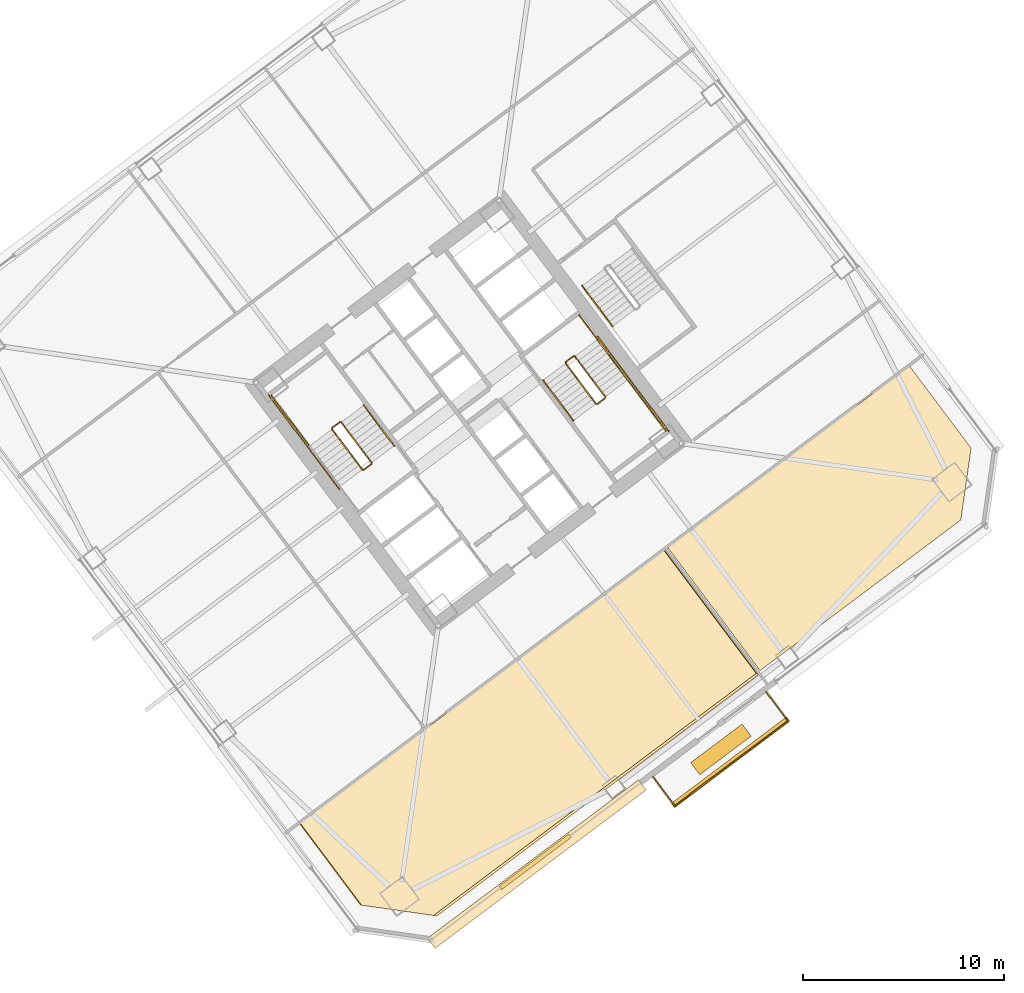
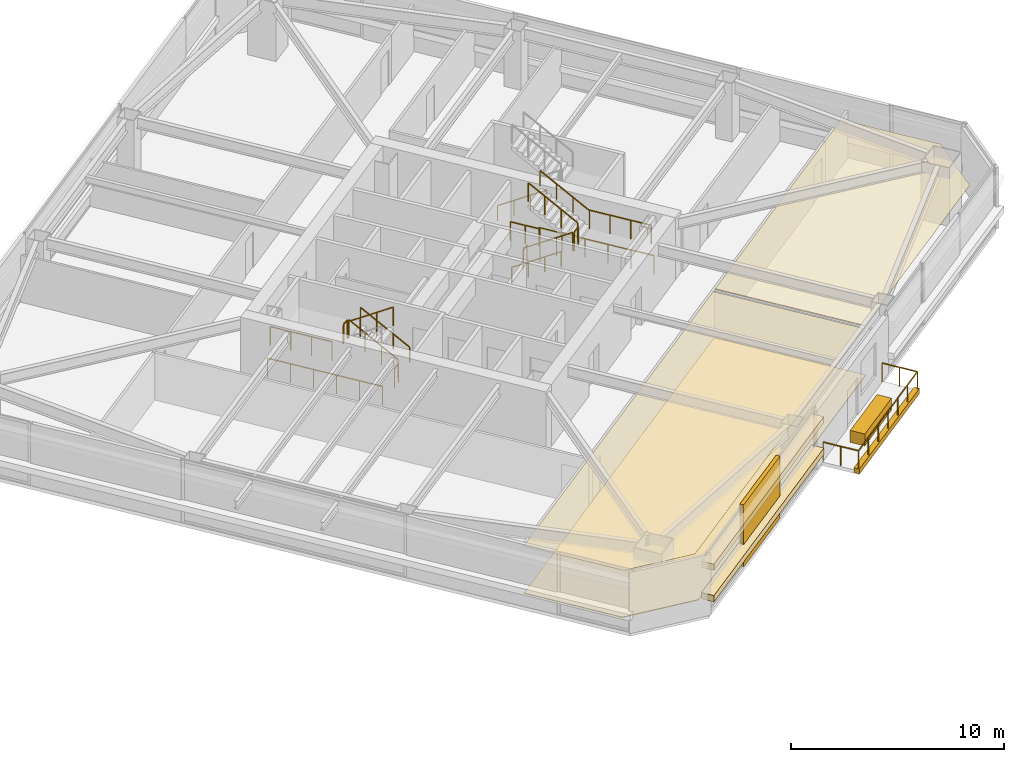
# One storey, part 44 of 47: 20 railings, 8 coverings.
"""IFC4 building model written with IfcOpenShell, lengths in metres."""

import ifcopenshell
import ifcopenshell.guid

model = None  # the IFC model being written
_history = None  # IfcOwnerHistory: only IFC2X3 demands one
_inside = {}  # id of a spatial element -> (the spatial element, [elements in it])
_under = {}  # id of a project, library or spatial element -> (it, [spatial elements below it])
_declared = {}  # id of a project -> (the project, [libraries it declares])
_typed = {}  # id of a type object -> (the type object, [elements of that type])
_made_of = {}  # id of a material, layer set ... -> (it, [elements and type objects made of it])


def new_model(schema):
    """Start an empty IFC model of exactly this schema.

    Asked for "IFC4X3", IfcOpenShell would pick the latest addendum, in which some entities
    have other attributes; the version numbers below select the first issue.
    IFC2X3 requires an IfcOwnerHistory on every rooted entity: one is made here for all.
    """
    global model, _history
    if schema == "IFC4X3":
        model = ifcopenshell.file(schema_version=(4, 3, 0, 0))
    else:
        model = ifcopenshell.file(schema=schema)
    _inside.clear()
    _under.clear()
    _declared.clear()
    _typed.clear()
    _made_of.clear()
    _history = None
    if model.schema == "IFC2X3":
        org = make("IfcOrganization", Name="unknown")
        user = make(
            "IfcPersonAndOrganization",
            ThePerson=make("IfcPerson", FamilyName="unknown"),
            TheOrganization=org,
        )
        app = make(
            "IfcApplication",
            ApplicationDeveloper=org,
            Version="unknown",
            ApplicationFullName="unknown",
            ApplicationIdentifier="unknown",
        )
        _history = make(
            "IfcOwnerHistory",
            OwningUser=user,
            OwningApplication=app,
            ChangeAction="ADDED",
            CreationDate=0,
        )
    return model


def make(cls, **values):
    """One entity of the class cls with the attributes given. An attribute that is None is left unset."""
    return model.create_entity(
        cls, **{name: value for name, value in values.items() if value is not None}
    )


def rooted(cls, **values):
    """An entity with a GlobalId (a new one), such as an element, a storey or a relation."""
    return make(cls, GlobalId=ifcopenshell.guid.new(), OwnerHistory=_history, **values)


def si_unit(unit_type, name, prefix=None):
    """IfcSIUnit, for example si_unit("LENGTHUNIT", "METRE", prefix="MILLI")."""
    return make("IfcSIUnit", UnitType=unit_type, Prefix=prefix, Name=name)


def assignment(units):
    """IfcUnitAssignment: the units of a project."""
    return None if units is None else make("IfcUnitAssignment", Units=units)


def point(xyz):
    """IfcCartesianPoint."""
    return None if xyz is None else make("IfcCartesianPoint", Coordinates=xyz)


def direction(xyz):
    """IfcDirection."""
    return None if xyz is None else make("IfcDirection", DirectionRatios=xyz)


def frame(location, z_axis=None, x_axis=None):
    """IfcAxis2Placement3D, a coordinate frame: its origin and axes. An axis left out is left unset."""
    return make(
        "IfcAxis2Placement3D",
        Location=point(location),
        Axis=direction(z_axis),
        RefDirection=direction(x_axis),
    )


def frame_2d(location, x_axis=None):
    """IfcAxis2Placement2D, a coordinate frame in the plane: its origin and x axis."""
    return make(
        "IfcAxis2Placement2D", Location=point(location), RefDirection=direction(x_axis)
    )


def origin():
    """The frame at (0, 0, 0) with its axes left unset."""
    return frame((0.0, 0.0, 0.0))


def origin_2d():
    """The frame at (0, 0) in the plane with its x axis left unset."""
    return frame_2d((0.0, 0.0))


def place(relative_to, where):
    """IfcLocalPlacement: puts the frame where relative to a parent placement (None: the world)."""
    return make(
        "IfcLocalPlacement", PlacementRelTo=relative_to, RelativePlacement=where
    )


def context(
    kind, dimensions, precision=None, world=None, true_north=None, identifier=None
):
    """IfcGeometricRepresentationContext, for example the 3D "Model" context."""
    return make(
        "IfcGeometricRepresentationContext",
        ContextIdentifier=identifier,
        ContextType=kind,
        CoordinateSpaceDimension=dimensions,
        Precision=precision,
        WorldCoordinateSystem=world,
        TrueNorth=true_north,
    )


def subcontext(parent, identifier, kind, view, scale=None):
    """IfcGeometricRepresentationSubContext, for example "Body" below "Model"."""
    return make(
        "IfcGeometricRepresentationSubContext",
        ContextIdentifier=identifier,
        ContextType=kind,
        ParentContext=parent,
        TargetScale=scale,
        TargetView=view,
    )


def project(units=None, contexts=None):
    """IfcProject with its units and contexts."""
    return rooted(
        "IfcProject",
        Name="project",
        RepresentationContexts=contexts,
        UnitsInContext=assignment(units),
    )


def spatial(cls, under=None, at=None, **own):
    """A site, building, storey or space (cls), placed at a placement, below another one or the project."""
    s = rooted(cls, ObjectPlacement=at, **own)
    if under is not None:
        _under.setdefault(under.id(), (under, []))[1].append(s)
    return s


def polyline(points):
    """IfcPolyline through the points."""
    return make("IfcPolyline", Points=[point(p) for p in points])


def profile(cls, at=None, kind="AREA", **sizes):
    """A parametric profile (cls). Its sizes go by their IFC names, for example OverallWidth=200.0."""
    return make(cls, ProfileType=kind, Position=at, **sizes)


def rectangle(**sizes):
    """IfcRectangleProfileDef."""
    return profile("IfcRectangleProfileDef", **sizes)


def outline(outer, holes=None, kind="AREA"):
    """IfcArbitraryClosedProfileDef: a profile drawn as a closed curve; with holes, ...WithVoids."""
    if holes is None:
        return make("IfcArbitraryClosedProfileDef", ProfileType=kind, OuterCurve=outer)
    return make(
        "IfcArbitraryProfileDefWithVoids",
        ProfileType=kind,
        OuterCurve=outer,
        InnerCurves=holes,
    )


def extrude(swept, where, along, depth):
    """IfcExtrudedAreaSolid: the profile swept, set in the frame where, extruded along a direction by depth."""
    return make(
        "IfcExtrudedAreaSolid",
        SweptArea=swept,
        Position=where,
        ExtrudedDirection=direction(along),
        Depth=depth,
    )


def shape(context_of_items, identifier, shape_type, items):
    """IfcShapeRepresentation: the items that make up one representation, for example the "Body"."""
    return make(
        "IfcShapeRepresentation",
        ContextOfItems=context_of_items,
        RepresentationIdentifier=identifier,
        RepresentationType=shape_type,
        Items=items,
    )


def material(Name=None, Category=None):
    """IfcMaterial."""
    return make("IfcMaterial", Name=Name, Category=Category)


def layer(
    of_material, thickness, ventilated=None, Name=None, Category=None, Priority=None
):
    """IfcMaterialLayer: one layer of a wall or slab, of a material (None: an air gap)."""
    return make(
        "IfcMaterialLayer",
        Material=of_material,
        LayerThickness=thickness,
        IsVentilated=ventilated,
        Name=Name,
        Category=Category,
        Priority=Priority,
    )


def layer_set(layers, Name=None):
    """IfcMaterialLayerSet."""
    return make("IfcMaterialLayerSet", MaterialLayers=layers, LayerSetName=Name)


def made_of(thing, what):
    """Note that an element or type object is made of a material, layer set ...; save() writes the relation."""
    if what is not None:
        _made_of.setdefault(what.id(), (what, []))[1].append(thing)
    return thing


def type_object(cls, material=None, **own):
    """A type object (cls), such as IfcWallType, which elements share."""
    return made_of(rooted(cls, **own), material)


def element(
    cls,
    number,
    at=None,
    inside=None,
    cuts=None,
    type_object=None,
    material=None,
    context=None,
    identifier="Body",
    shape_type=None,
    held_by="IfcProductDefinitionShape",
    body=None,
    shapes=None,
    **own,
):
    """One element of the class cls, such as IfcWall. Its Tag is "e" and its number.

    at: its placement. inside: the storey or other place that contains it. cuts: it is an
    opening in that element (IfcRelVoidsElement). A single representation is given by context,
    identifier, shape_type and body (its items); several are given by shapes. held_by: the class
    of the entity that holds the representations. save() writes the other relations.
    """
    e = rooted(cls, Tag="e%d" % number, ObjectPlacement=at, **own)
    if body is not None:
        shapes = [shape(context, identifier, shape_type, body)]
    if shapes is not None:
        e.Representation = make(held_by, Representations=shapes)
    if inside is not None:
        _inside.setdefault(inside.id(), (inside, []))[1].append(e)
    if cuts is not None:
        rooted(
            "IfcRelVoidsElement", RelatingBuildingElement=cuts, RelatedOpeningElement=e
        )
    if type_object is not None:
        _typed.setdefault(type_object.id(), (type_object, []))[1].append(e)
    return made_of(e, material)


def aggregate(whole, parts):
    """IfcRelAggregates: a whole, such as a stair, and the parts it consists of."""
    return rooted("IfcRelAggregates", RelatingObject=whole, RelatedObjects=parts)


def save(model, path):
    """Write the relations noted so far, then the file.

    IfcRelAggregates (storeys below a building ...), IfcRelContainedInSpatialStructure (elements
    in a storey), IfcRelDefinesByType, IfcRelAssociatesMaterial and IfcRelDeclares: one each for
    every whole, place, type object, material and project.
    """
    for whole, parts in _under.values():
        aggregate(whole, parts)
    for where, things in _inside.values():
        rooted(
            "IfcRelContainedInSpatialStructure",
            RelatedElements=things,
            RelatingStructure=where,
        )
    for kind, things in _typed.values():
        rooted("IfcRelDefinesByType", RelatedObjects=things, RelatingType=kind)
    for what, things in _made_of.values():
        rooted("IfcRelAssociatesMaterial", RelatedObjects=things, RelatingMaterial=what)
    for by, libraries in _declared.values():
        rooted("IfcRelDeclares", RelatingContext=by, RelatedDefinitions=libraries)
    model.write(path)


model = new_model("IFC4")

# Units and contexts
model_context = context("Model", 3, precision=1e-05, world=origin(), true_north=direction((0.0, 1.0)))
body_context = subcontext(model_context, "Body", "Model", "MODEL_VIEW")
ifc_project = project(units=[si_unit("LENGTHUNIT", "METRE"), si_unit("AREAUNIT", "SQUARE_METRE"), si_unit("VOLUMEUNIT", "CUBIC_METRE"), si_unit("PLANEANGLEUNIT", "RADIAN"), si_unit("MASSUNIT", "GRAM", prefix="KILO")], contexts=[model_context])

# Site, building, storey
site_placement = place(None, origin())
site = spatial("IfcSite", under=ifc_project, at=site_placement, CompositionType="ELEMENT")
building_placement = place(site_placement, origin())
building = spatial("IfcBuilding", under=site, at=building_placement, Name="Tashvorn Skyway Center", CompositionType="ELEMENT")
storey_placement = place(building_placement, frame((0.0, 0.0, 81.39990234375)))
storey = spatial("IfcBuildingStorey", under=building, at=storey_placement, Name="L21", CompositionType="ELEMENT", Elevation=81.39990234375)

# Coverings
ifc_material_1 = material(Name="Precast concrete C40/50", Category="concrete")
ifc_layer_1 = layer(ifc_material_1, 0.199951171875)
ifc_layer_set_1 = layer_set([ifc_layer_1], Name="Precast concrete C40/50")
covering_type_1 = type_object("IfcCoveringType", Name="COV-BRACE-CLAD", PredefinedType="CLADDING", material=ifc_layer_set_1)
covering_1_placement = place(storey_placement, frame((117.31591796875, 9.636962890625, 0.0), z_axis=(0.0, 0.0, 1.0), x_axis=(-0.799999996291, -0.600000004945, 0.0)))
element("IfcCovering", 1, at=covering_1_placement, inside=storey, type_object=covering_type_1, Name="Tower 2 L21 South Curtain Wall R Mega-Brace Cladding Band 1", PredefinedType="CLADDING", context=body_context, shape_type="SweptSolid", body=[
    extrude(rectangle(XDim=4.34326171875, YDim=0.199951171875, at=origin_2d()), origin(), (0.0, 0.0, 1.0), 3.550048828125),
])
ifc_material_2 = material(Name="Mineral-fibre acoustic ceiling tile on suspended grid")
ifc_layer_2 = layer(ifc_material_2, 0.02001953125)
ifc_layer_set_2 = layer_set([ifc_layer_2], Name="Mineral-fibre acoustic ceiling tile on suspended grid")
covering_type_2 = type_object("IfcCoveringType", Name="COV-CEIL-20", PredefinedType="CEILING", material=ifc_layer_set_2)
covering_2_placement = place(storey_placement, frame((0.0, 0.0, 2.68310546875)))
element("IfcCovering", 2, at=covering_2_placement, inside=storey, type_object=covering_type_2, Name="Tower 2 L21 Executive Study Lounge Acoustic Ceiling", PredefinedType="CEILING", context=body_context, shape_type="SweptSolid", body=[
    extrude(outline(polyline([(105.60205078125, 11.56396484375), (123.72998046875, 25.159912109375), (128.33203125, 19.02392578125), (112.251953125, 6.964111328125), (108.66796875, 7.47607421875), (105.60205078125, 11.56396484375)])), origin(), (0.0, 0.0, 1.0), 0.02001953125),
])
covering_3_placement = place(storey_placement, frame((0.0, 0.0, 2.68310546875)))
element("IfcCovering", 3, at=covering_3_placement, inside=storey, type_object=covering_type_2, Name="Tower 2 L21 Reading Lounge Acoustic Ceiling", PredefinedType="CEILING", context=body_context, shape_type="SweptSolid", body=[
    extrude(outline(polyline([(128.52392578125, 19.16796875), (123.922119140625, 25.303955078125), (135.969970703125, 34.340087890625), (139.035888671875, 30.251953125), (138.52392578125, 26.66796875), (128.52392578125, 19.16796875)])), origin(), (0.0, 0.0, 1.0), 0.02001953125),
])
ifc_material_3 = material(Name="Polished Mojave desert-aggregate terrazzo and cover plate")
ifc_layer_3 = layer(ifc_material_3, 0.0400390625)
ifc_layer_set_3 = layer_set([ifc_layer_3], Name="Polished Mojave desert-aggregate terrazzo and cover plate")
covering_type_3 = type_object("IfcCoveringType", Name="COV-FLR-40", PredefinedType="FLOORING", material=ifc_layer_set_3)
covering_4_placement = place(storey_placement, origin())
element("IfcCovering", 4, at=covering_4_placement, inside=storey, type_object=covering_type_3, Name="Tower 2 L21 Executive Study Lounge Finish Flooring", PredefinedType="FLOORING", context=body_context, shape_type="SweptSolid", body=[
    extrude(outline(polyline([(112.419921875, 6.93994140625), (108.612060546875, 7.48388671875), (105.593994140625, 11.508056640625), (123.785888671875, 25.152099609375), (128.43603515625, 18.951904296875), (112.419921875, 6.93994140625)])), origin(), (0.0, 0.0, 1.0), 0.0400390625),
])
ifc_material_4 = material(Name="Perforated ceramic-coated bronze aluminium solar screen", Category="aluminium")
ifc_layer_4 = layer(ifc_material_4, 0.85009765625)
ifc_layer_set_4 = layer_set([ifc_layer_4], Name="Perforated ceramic-coated bronze aluminium solar screen")
covering_type_4 = type_object("IfcCoveringType", Name="COV-SOLAR-BAND", PredefinedType="CLADDING", material=ifc_layer_set_4)
for number, where, z_axis, x_axis, name in (
    (5, (117.39990234375, 9.52490234375, 0.919921875), (0.0, 0.0, 1.0), (-0.799999996291, -0.600000004945, 0.0), "L21 Perforated Ceramic-Metal Solar Screen Louvre Band South 1"),
    (6, (117.39990234375, 9.52490234375, 2.72021484375), (0.0, 0.0, 1.0), (-0.799999996291, -0.600000004945, 0.0), "L21 Perforated Ceramic-Metal Solar Screen Louvre Band South 2"),
):
    element("IfcCovering", number, at=place(storey_placement, frame(where, z_axis=z_axis, x_axis=x_axis)), inside=storey, type_object=covering_type_4, Name=name, PredefinedType="CLADDING", context=body_context, shape_type="SweptSolid", body=[
        extrude(rectangle(XDim=13.14990234375, YDim=0.639892578125, at=origin_2d()), origin(), (0.0, 0.0, 1.0), 0.360107421875),
    ])
ifc_layer_5 = layer(ifc_material_1, 0.35009765625)
ifc_layer_set_5 = layer_set([ifc_layer_5], Name="Precast concrete C40/50")
covering_type_5 = type_object("IfcCoveringType", Name="COV-STONE-TRIM", PredefinedType="CLADDING", material=ifc_layer_set_5)
covering_5_placement = place(storey_placement, frame((127.055908203125, 14.592041015625, -0.16015625), z_axis=(0.0, 0.0, 1.0), x_axis=(-0.799999996291, -0.600000004945, 0.0)))
element("IfcCovering", 7, at=covering_5_placement, inside=storey, type_object=covering_type_5, Name="Tower 2 L21 Spiral Terrace Terracotta Fascia", PredefinedType="CLADDING", context=body_context, shape_type="SweptSolid", body=[
    extrude(rectangle(XDim=7.199951171875, YDim=0.280029296875, at=origin_2d()), origin(), (0.0, 0.0, 1.0), 0.280029296875),
])
covering_6_placement = place(storey_placement, frame((126.570068359375, 15.239990234375, 0.0), z_axis=(0.0, 0.0, 1.0), x_axis=(-0.799999996291, -0.600000004945, 0.0)))
element("IfcCovering", 8, at=covering_6_placement, inside=storey, type_object=covering_type_5, Name="Tower 2 L21 Spiral Terrace Planter", PredefinedType="CLADDING", context=body_context, shape_type="SweptSolid", body=[
    extrude(rectangle(XDim=3.199951171875, YDim=0.75, at=origin_2d()), origin(), (0.0, 0.0, 1.0), 0.679931640625),
])

# Railings
ifc_material_5 = material(Name="Galvanized steel S355", Category="steel")
railing_type_1 = type_object("IfcRailingType", Name="RAIL-GUARD-1120", PredefinedType="GUARDRAIL", material=ifc_material_5)
railing_1_placement = place(storey_placement, frame((123.18408203125, 13.887939453125, 0.0)))
element("IfcRailing", 9, at=railing_1_placement, inside=storey, type_object=railing_type_1, Name="L21 Tower 2 Terrace Guardrail 01", PredefinedType="GUARDRAIL", context=body_context, shape_type="SweptSolid", body=[
    extrude(rectangle(XDim=0.048095703125, YDim=0.048095703125, at=origin_2d()), frame((0.0, 0.0, 1.09619140625), z_axis=(0.599914141212, -0.800064386893, 0.0), x_axis=(0.800064386893, 0.599914141212, 0.0)), (0.0, 0.0, 1.0), 1.81982421875),
    extrude(rectangle(XDim=0.0419921875, YDim=0.0419921875, at=origin_2d()), origin(), (0.0, 0.0, 1.0), 1.072021484375),
    extrude(rectangle(XDim=0.0419921875, YDim=0.0419921875, at=origin_2d()), frame((0.5458984375, -0.72802734375, 0.0)), (0.0, 0.0, 1.0), 1.072021484375),
    extrude(rectangle(XDim=0.0419921875, YDim=0.0419921875, at=origin_2d()), frame((1.091796875, -1.4560546875, 0.0)), (0.0, 0.0, 1.0), 1.072021484375),
])
railing_2_placement = place(storey_placement, frame((124.27587890625, 12.431884765625, 0.0)))
element("IfcRailing", 10, at=railing_2_placement, inside=storey, type_object=railing_type_1, Name="L21 Tower 2 Terrace Guardrail 02", PredefinedType="GUARDRAIL", context=body_context, shape_type="SweptSolid", body=[
    extrude(rectangle(XDim=0.048095703125, YDim=0.048095703125, at=origin_2d()), frame((0.0, 0.0, 1.09619140625), z_axis=(0.799995838574, 0.600005548528, 0.0), x_axis=(-0.600005548528, 0.799995838574, 0.0)), (0.0, 0.0, 1.0), 7.0400390625),
    extrude(rectangle(XDim=0.0419921875, YDim=0.0419921875, at=origin_2d()), origin(), (0.0, 0.0, 1.0), 1.072021484375),
    extrude(rectangle(XDim=0.0419921875, YDim=0.0419921875, at=origin_2d()), frame((0.938720703125, 0.7041015625, 0.0)), (0.0, 0.0, 1.0), 1.072021484375),
    extrude(rectangle(XDim=0.0419921875, YDim=0.0419921875, at=origin_2d()), frame((1.87744140625, 1.407958984375, 0.0)), (0.0, 0.0, 1.0), 1.072021484375),
    extrude(rectangle(XDim=0.0419921875, YDim=0.0419921875, at=origin_2d()), frame((2.81591796875, 2.112060546875, 0.0)), (0.0, 0.0, 1.0), 1.072021484375),
    extrude(rectangle(XDim=0.0419921875, YDim=0.0419921875, at=origin_2d()), frame((3.754638671875, 2.816162109375, 0.0)), (0.0, 0.0, 1.0), 1.072021484375),
    extrude(rectangle(XDim=0.0419921875, YDim=0.0419921875, at=origin_2d()), frame((4.693359375, 3.52001953125, 0.0)), (0.0, 0.0, 1.0), 1.072021484375),
    extrude(rectangle(XDim=0.0419921875, YDim=0.0419921875, at=origin_2d()), frame((5.632080078125, 4.22412109375, 0.0)), (0.0, 0.0, 1.0), 1.072021484375),
])
railing_3_placement = place(storey_placement, frame((129.907958984375, 16.656005859375, 0.0)))
element("IfcRailing", 11, at=railing_3_placement, inside=storey, type_object=railing_type_1, Name="L21 Tower 2 Terrace Guardrail 03", PredefinedType="GUARDRAIL", context=body_context, shape_type="SweptSolid", body=[
    extrude(rectangle(XDim=0.048095703125, YDim=0.048095703125, at=origin_2d()), frame((0.0, 0.0, 1.09619140625), z_axis=(-0.6, 0.8, 0.0), x_axis=(-0.8, -0.6, 0.0)), (0.0, 0.0, 1.0), 1.820068359375),
    extrude(rectangle(XDim=0.0419921875, YDim=0.0419921875, at=origin_2d()), origin(), (0.0, 0.0, 1.0), 1.072021484375),
    extrude(rectangle(XDim=0.0419921875, YDim=0.0419921875, at=origin_2d()), frame((-0.5458984375, 0.72802734375, 0.0)), (0.0, 0.0, 1.0), 1.072021484375),
    extrude(rectangle(XDim=0.0419921875, YDim=0.0419921875, at=origin_2d()), frame((-1.092041015625, 1.4560546875, 0.0)), (0.0, 0.0, 1.0), 1.072021484375),
])
ifc_material_6 = material(Name="Brushed stainless steel 316", Category="steel")
railing_type_2 = type_object("IfcRailingType", Name="RAIL-HAND-920", PredefinedType="HANDRAIL", material=ifc_material_6)
railing_4_placement = place(storey_placement, frame((110.2880859375, 30.365966796875, 0.177490234375)))
element("IfcRailing", 12, at=railing_4_placement, inside=storey, type_object=railing_type_2, Name="L21 ST-T2-1 stair handrail 1", PredefinedType="HANDRAIL", context=body_context, shape_type="SweptSolid", body=[
    extrude(rectangle(XDim=0.048095703125, YDim=0.048095703125, at=origin_2d()), frame((0.0, 0.0, 0.8759765625), z_axis=(-0.506779409603, 0.675651334276, 0.53541563714), x_axis=(-0.799976749893, -0.600030998891, 0.0)), (0.0, 0.0, 1.0), 2.98388671875),
    extrude(rectangle(XDim=0.0419921875, YDim=0.0419921875, at=origin_2d()), origin(), (0.0, 0.0, 1.0), 0.851806640625),
    extrude(rectangle(XDim=0.0419921875, YDim=0.0419921875, at=origin_2d()), frame((-0.504150390625, 0.672119140625, 0.532470703125)), (0.0, 0.0, 1.0), 0.851806640625),
    extrude(rectangle(XDim=0.0419921875, YDim=0.0419921875, at=origin_2d()), frame((-1.008056640625, 1.343994140625, 1.065185546875)), (0.0, 0.0, 1.0), 0.851806640625),
    extrude(rectangle(XDim=0.0419921875, YDim=0.0419921875, at=origin_2d()), frame((-1.51220703125, 2.01611328125, 1.59765625)), (0.0, 0.0, 1.0), 0.851806640625),
])
railing_5_placement = place(storey_placement, frame((117.7119140625, 33.634033203125, 0.177490234375)))
element("IfcRailing", 13, at=railing_5_placement, inside=storey, type_object=railing_type_2, Name="L21 ST-T2-2 stair handrail 1", PredefinedType="HANDRAIL", context=body_context, shape_type="SweptSolid", body=[
    extrude(rectangle(XDim=0.048095703125, YDim=0.048095703125, at=origin_2d()), frame((0.0, 0.0, 0.8759765625), z_axis=(0.506779409603, -0.675651334276, 0.53541563714), x_axis=(0.799976749893, 0.600030998891, 0.0)), (0.0, 0.0, 1.0), 2.98388671875),
    extrude(rectangle(XDim=0.0419921875, YDim=0.0419921875, at=origin_2d()), origin(), (0.0, 0.0, 1.0), 0.851806640625),
    extrude(rectangle(XDim=0.0419921875, YDim=0.0419921875, at=origin_2d()), frame((0.504150390625, -0.672119140625, 0.532470703125)), (0.0, 0.0, 1.0), 0.851806640625),
    extrude(rectangle(XDim=0.0419921875, YDim=0.0419921875, at=origin_2d()), frame((1.008056640625, -1.343994140625, 1.065185546875)), (0.0, 0.0, 1.0), 0.851806640625),
    extrude(rectangle(XDim=0.0419921875, YDim=0.0419921875, at=origin_2d()), frame((1.51220703125, -2.01611328125, 1.59765625)), (0.0, 0.0, 1.0), 0.851806640625),
])
railing_6_placement = place(storey_placement, frame((121.927978515625, 33.64599609375, 1.95263671875)))
element("IfcRailing", 14, at=railing_6_placement, inside=storey, type_object=railing_type_2, Name="L21 ST-T2-2 stair handrail 2", PredefinedType="HANDRAIL", context=body_context, shape_type="SweptSolid", body=[
    extrude(rectangle(XDim=0.048095703125, YDim=0.048095703125, at=origin_2d()), frame((0.0, 0.0, 0.8759765625), z_axis=(-0.506740800098, 0.675708949977, 0.535379469569), x_axis=(-0.800023250257, -0.599968998406, 0.0)), (0.0, 0.0, 1.0), 2.983642578125),
    extrude(rectangle(XDim=0.0419921875, YDim=0.0419921875, at=origin_2d()), origin(), (0.0, 0.0, 1.0), 0.851806640625),
    extrude(rectangle(XDim=0.0419921875, YDim=0.0419921875, at=origin_2d()), frame((-0.50390625, 0.672119140625, 0.532470703125)), (0.0, 0.0, 1.0), 0.851806640625),
    extrude(rectangle(XDim=0.0419921875, YDim=0.0419921875, at=origin_2d()), frame((-1.008056640625, 1.343994140625, 1.06494140625)), (0.0, 0.0, 1.0), 0.851806640625),
    extrude(rectangle(XDim=0.0419921875, YDim=0.0419921875, at=origin_2d()), frame((-1.511962890625, 2.01611328125, 1.597412109375)), (0.0, 0.0, 1.0), 0.851806640625),
])
railing_7_placement = place(storey_placement, frame((119.656005859375, 38.342041015625, 0.177490234375)))
element("IfcRailing", 15, at=railing_7_placement, inside=storey, type_object=railing_type_2, Name="L21 ST-T2-3 stair handrail 1", PredefinedType="HANDRAIL", context=body_context, shape_type="SweptSolid", body=[
    extrude(rectangle(XDim=0.048095703125, YDim=0.048095703125, at=origin_2d()), frame((0.0, 0.0, 0.8759765625), z_axis=(0.506718600913, -0.675679348675, 0.535437836974), x_axis=(0.800023250257, 0.599968998406, 0.0)), (0.0, 0.0, 1.0), 2.98388671875),
    extrude(rectangle(XDim=0.0419921875, YDim=0.0419921875, at=origin_2d()), origin(), (0.0, 0.0, 1.0), 0.851806640625),
    extrude(rectangle(XDim=0.0419921875, YDim=0.0419921875, at=origin_2d()), frame((0.50390625, -0.672119140625, 0.532470703125)), (0.0, 0.0, 1.0), 0.851806640625),
    extrude(rectangle(XDim=0.0419921875, YDim=0.0419921875, at=origin_2d()), frame((1.008056640625, -1.343994140625, 1.065185546875)), (0.0, 0.0, 1.0), 0.851806640625),
    extrude(rectangle(XDim=0.0419921875, YDim=0.0419921875, at=origin_2d()), frame((1.511962890625, -2.01611328125, 1.59765625)), (0.0, 0.0, 1.0), 0.851806640625),
])
ifc_material_7 = material(Name="Painted galvanized steel S355", Category="steel")
railing_type_3 = type_object("IfcRailingType", Name="RAIL-STGUARD-1100", PredefinedType="GUARDRAIL", material=ifc_material_7)
railing_8_placement = place(storey_placement, frame((109.16796875, 29.52587890625, 0.177490234375)))
element("IfcRailing", 16, at=railing_8_placement, inside=storey, type_object=railing_type_3, Name="L21 ST-T2-1 stair guard 1", PredefinedType="GUARDRAIL", context=body_context, shape_type="SweptSolid", body=[
    extrude(rectangle(XDim=0.048095703125, YDim=0.048095703125, at=origin_2d()), frame((0.0, 0.0, 1.076171875), z_axis=(-0.506718600913, 0.675679348675, 0.535437836974), x_axis=(-0.800023250257, -0.599968998406, 0.0)), (0.0, 0.0, 1.0), 2.98388671875),
    extrude(rectangle(XDim=0.0419921875, YDim=0.0419921875, at=origin_2d()), origin(), (0.0, 0.0, 1.0), 1.052001953125),
    extrude(rectangle(XDim=0.0419921875, YDim=0.0419921875, at=origin_2d()), frame((-0.50390625, 0.672119140625, 0.532470703125)), (0.0, 0.0, 1.0), 1.052001953125),
    extrude(rectangle(XDim=0.0419921875, YDim=0.0419921875, at=origin_2d()), frame((-1.008056640625, 1.343994140625, 1.065185546875)), (0.0, 0.0, 1.0), 1.052001953125),
    extrude(rectangle(XDim=0.0419921875, YDim=0.0419921875, at=origin_2d()), frame((-1.511962890625, 2.01611328125, 1.59765625)), (0.0, 0.0, 1.0), 1.052001953125),
])
railing_9_placement = place(storey_placement, frame((107.5859375, 31.552001953125, 1.775146484375)))
element("IfcRailing", 17, at=railing_9_placement, inside=storey, type_object=railing_type_3, Name="L21 ST-T2-1 stair guard 2", PredefinedType="GUARDRAIL", context=body_context, shape_type="SweptSolid", body=[
    extrude(rectangle(XDim=0.048095703125, YDim=0.048095703125, at=origin_2d()), frame((0.0, 0.0, 1.076171875), z_axis=(-0.799938970639, -0.600081363861, 0.0), x_axis=(0.600081363861, -0.799938970639, 0.0)), (0.0, 0.0, 1.0), 0.47998046875),
    extrude(rectangle(XDim=0.0419921875, YDim=0.0419921875, at=origin_2d()), origin(), (0.0, 0.0, 1.0), 1.052001953125),
    extrude(rectangle(XDim=0.0419921875, YDim=0.0419921875, at=origin_2d()), frame((-0.384033203125, -0.2880859375, 0.0)), (0.0, 0.0, 1.0), 1.052001953125),
])
railing_10_placement = place(storey_placement, frame((106.072021484375, 30.35400390625, 1.775146484375)))
element("IfcRailing", 18, at=railing_10_placement, inside=storey, type_object=railing_type_3, Name="L21 ST-T2-1 stair guard 3", PredefinedType="GUARDRAIL", context=body_context, shape_type="SweptSolid", body=[
    extrude(rectangle(XDim=0.048095703125, YDim=0.048095703125, at=origin_2d()), frame((0.0, 0.0, 1.076171875), z_axis=(-0.599987638607, 0.800009270896, 0.0), x_axis=(-0.800009270896, -0.599987638607, 0.0)), (0.0, 0.0, 1.0), 3.16015625),
    extrude(rectangle(XDim=0.0419921875, YDim=0.0419921875, at=origin_2d()), origin(), (0.0, 0.0, 1.0), 1.052001953125),
    extrude(rectangle(XDim=0.0419921875, YDim=0.0419921875, at=origin_2d()), frame((-0.632080078125, 0.8427734375, 0.0)), (0.0, 0.0, 1.0), 1.052001953125),
    extrude(rectangle(XDim=0.0419921875, YDim=0.0419921875, at=origin_2d()), frame((-1.263916015625, 1.685302734375, 0.0)), (0.0, 0.0, 1.0), 1.052001953125),
    extrude(rectangle(XDim=0.0419921875, YDim=0.0419921875, at=origin_2d()), frame((-1.89599609375, 2.528076171875, 0.0)), (0.0, 0.0, 1.0), 1.052001953125),
])
railing_11_placement = place(storey_placement, frame((107.19189453125, 31.194091796875, 1.95263671875)))
element("IfcRailing", 19, at=railing_11_placement, inside=storey, type_object=railing_type_3, Name="L21 ST-T2-1 stair guard 4", PredefinedType="GUARDRAIL", context=body_context, shape_type="SweptSolid", body=[
    extrude(rectangle(XDim=0.048095703125, YDim=0.048095703125, at=origin_2d()), frame((0.0, 0.0, 1.076171875), z_axis=(0.506801609611, -0.675680931896, 0.535357270211), x_axis=(0.799976749893, 0.600030998891, 0.0)), (0.0, 0.0, 1.0), 2.98388671875),
    extrude(rectangle(XDim=0.0419921875, YDim=0.0419921875, at=origin_2d()), origin(), (0.0, 0.0, 1.0), 1.052001953125),
    extrude(rectangle(XDim=0.0419921875, YDim=0.0419921875, at=origin_2d()), frame((0.504150390625, -0.672119140625, 0.532470703125)), (0.0, 0.0, 1.0), 1.052001953125),
    extrude(rectangle(XDim=0.0419921875, YDim=0.0419921875, at=origin_2d()), frame((1.008056640625, -1.343994140625, 1.06494140625)), (0.0, 0.0, 1.0), 1.052001953125),
    extrude(rectangle(XDim=0.0419921875, YDim=0.0419921875, at=origin_2d()), frame((1.51220703125, -2.01611328125, 1.597412109375)), (0.0, 0.0, 1.0), 1.052001953125),
])
railing_12_placement = place(storey_placement, frame((109.157958984375, 29.4560546875, 0.0)))
element("IfcRailing", 20, at=railing_12_placement, inside=storey, type_object=railing_type_3, Name="L21 ST-T2-1 stair guard 5", PredefinedType="GUARDRAIL", context=body_context, shape_type="SweptSolid", body=[
    extrude(rectangle(XDim=0.048095703125, YDim=0.048095703125, at=origin_2d()), frame((0.0, 0.0, 1.076171875), z_axis=(-0.799938970639, -0.600081363861, 0.0), x_axis=(0.600081363861, -0.799938970639, 0.0)), (0.0, 0.0, 1.0), 0.47998046875),
    extrude(rectangle(XDim=0.0419921875, YDim=0.0419921875, at=origin_2d()), origin(), (0.0, 0.0, 1.0), 1.052001953125),
    extrude(rectangle(XDim=0.0419921875, YDim=0.0419921875, at=origin_2d()), frame((-0.384033203125, -0.2880859375, 0.0)), (0.0, 0.0, 1.0), 1.052001953125),
])
railing_13_placement = place(storey_placement, frame((107.56396484375, 28.197998046875, 0.0)))
element("IfcRailing", 21, at=railing_13_placement, inside=storey, type_object=railing_type_3, Name="L21 ST-T2-1 stair guard 7", PredefinedType="GUARDRAIL", context=body_context, shape_type="SweptSolid", body=[
    extrude(rectangle(XDim=0.048095703125, YDim=0.048095703125, at=origin_2d()), frame((0.0, 0.0, 1.076171875), z_axis=(-0.6, 0.8, 0.0), x_axis=(-0.8, -0.6, 0.0)), (0.0, 0.0, 1.0), 5.880126953125),
    extrude(rectangle(XDim=0.0419921875, YDim=0.0419921875, at=origin_2d()), origin(), (0.0, 0.0, 1.0), 1.052001953125),
    extrude(rectangle(XDim=0.0419921875, YDim=0.0419921875, at=origin_2d()), frame((-0.70556640625, 0.94091796875, 0.0)), (0.0, 0.0, 1.0), 1.052001953125),
    extrude(rectangle(XDim=0.0419921875, YDim=0.0419921875, at=origin_2d()), frame((-1.4111328125, 1.881591796875, 0.0)), (0.0, 0.0, 1.0), 1.052001953125),
    extrude(rectangle(XDim=0.0419921875, YDim=0.0419921875, at=origin_2d()), frame((-2.116943359375, 2.822509765625, 0.0)), (0.0, 0.0, 1.0), 1.052001953125),
    extrude(rectangle(XDim=0.0419921875, YDim=0.0419921875, at=origin_2d()), frame((-2.822509765625, 3.76318359375, 0.0)), (0.0, 0.0, 1.0), 1.052001953125),
    extrude(rectangle(XDim=0.0419921875, YDim=0.0419921875, at=origin_2d()), frame((-3.528076171875, 4.7041015625, 0.0)), (0.0, 0.0, 1.0), 1.052001953125),
])
railing_14_placement = place(storey_placement, frame((118.83203125, 34.47412109375, 0.177490234375)))
element("IfcRailing", 22, at=railing_14_placement, inside=storey, type_object=railing_type_3, Name="L21 ST-T2-2 stair guard 1", PredefinedType="GUARDRAIL", context=body_context, shape_type="SweptSolid", body=[
    extrude(rectangle(XDim=0.048095703125, YDim=0.048095703125, at=origin_2d()), frame((0.0, 0.0, 1.076171875), z_axis=(0.506718600913, -0.675679348675, 0.535437836974), x_axis=(0.800023250257, 0.599968998406, 0.0)), (0.0, 0.0, 1.0), 2.98388671875),
    extrude(rectangle(XDim=0.0419921875, YDim=0.0419921875, at=origin_2d()), origin(), (0.0, 0.0, 1.0), 1.052001953125),
    extrude(rectangle(XDim=0.0419921875, YDim=0.0419921875, at=origin_2d()), frame((0.50390625, -0.672119140625, 0.532470703125)), (0.0, 0.0, 1.0), 1.052001953125),
    extrude(rectangle(XDim=0.0419921875, YDim=0.0419921875, at=origin_2d()), frame((1.008056640625, -1.343994140625, 1.065185546875)), (0.0, 0.0, 1.0), 1.052001953125),
    extrude(rectangle(XDim=0.0419921875, YDim=0.0419921875, at=origin_2d()), frame((1.511962890625, -2.01611328125, 1.59765625)), (0.0, 0.0, 1.0), 1.052001953125),
])
railing_15_placement = place(storey_placement, frame((120.4140625, 32.447998046875, 1.775146484375)))
element("IfcRailing", 23, at=railing_15_placement, inside=storey, type_object=railing_type_3, Name="L21 ST-T2-2 stair guard 2", PredefinedType="GUARDRAIL", context=body_context, shape_type="SweptSolid", body=[
    extrude(rectangle(XDim=0.048095703125, YDim=0.048095703125, at=origin_2d()), frame((0.0, 0.0, 1.076171875), z_axis=(0.799938970639, 0.600081363861, 0.0), x_axis=(-0.600081363861, 0.799938970639, 0.0)), (0.0, 0.0, 1.0), 0.47998046875),
    extrude(rectangle(XDim=0.0419921875, YDim=0.0419921875, at=origin_2d()), origin(), (0.0, 0.0, 1.0), 1.052001953125),
    extrude(rectangle(XDim=0.0419921875, YDim=0.0419921875, at=origin_2d()), frame((0.384033203125, 0.2880859375, 0.0)), (0.0, 0.0, 1.0), 1.052001953125),
])
railing_16_placement = place(storey_placement, frame((121.927978515625, 33.64599609375, 1.775146484375)))
element("IfcRailing", 24, at=railing_16_placement, inside=storey, type_object=railing_type_3, Name="L21 ST-T2-2 stair guard 3", PredefinedType="GUARDRAIL", context=body_context, shape_type="SweptSolid", body=[
    extrude(rectangle(XDim=0.048095703125, YDim=0.048095703125, at=origin_2d()), frame((0.0, 0.0, 1.076171875), z_axis=(0.599987638607, -0.800009270896, 0.0), x_axis=(0.800009270896, 0.599987638607, 0.0)), (0.0, 0.0, 1.0), 3.16015625),
    extrude(rectangle(XDim=0.0419921875, YDim=0.0419921875, at=origin_2d()), origin(), (0.0, 0.0, 1.0), 1.052001953125),
    extrude(rectangle(XDim=0.0419921875, YDim=0.0419921875, at=origin_2d()), frame((0.632080078125, -0.8427734375, 0.0)), (0.0, 0.0, 1.0), 1.052001953125),
    extrude(rectangle(XDim=0.0419921875, YDim=0.0419921875, at=origin_2d()), frame((1.263916015625, -1.685302734375, 0.0)), (0.0, 0.0, 1.0), 1.052001953125),
    extrude(rectangle(XDim=0.0419921875, YDim=0.0419921875, at=origin_2d()), frame((1.89599609375, -2.528076171875, 0.0)), (0.0, 0.0, 1.0), 1.052001953125),
])
railing_17_placement = place(storey_placement, frame((120.80810546875, 32.805908203125, 1.95263671875)))
element("IfcRailing", 25, at=railing_17_placement, inside=storey, type_object=railing_type_3, Name="L21 ST-T2-2 stair guard 4", PredefinedType="GUARDRAIL", context=body_context, shape_type="SweptSolid", body=[
    extrude(rectangle(XDim=0.048095703125, YDim=0.048095703125, at=origin_2d()), frame((0.0, 0.0, 1.076171875), z_axis=(-0.506801609611, 0.675680931896, 0.535357270211), x_axis=(-0.799976749893, -0.600030998891, 0.0)), (0.0, 0.0, 1.0), 2.98388671875),
    extrude(rectangle(XDim=0.0419921875, YDim=0.0419921875, at=origin_2d()), origin(), (0.0, 0.0, 1.0), 1.052001953125),
    extrude(rectangle(XDim=0.0419921875, YDim=0.0419921875, at=origin_2d()), frame((-0.504150390625, 0.672119140625, 0.532470703125)), (0.0, 0.0, 1.0), 1.052001953125),
    extrude(rectangle(XDim=0.0419921875, YDim=0.0419921875, at=origin_2d()), frame((-1.008056640625, 1.343994140625, 1.06494140625)), (0.0, 0.0, 1.0), 1.052001953125),
    extrude(rectangle(XDim=0.0419921875, YDim=0.0419921875, at=origin_2d()), frame((-1.51220703125, 2.01611328125, 1.597412109375)), (0.0, 0.0, 1.0), 1.052001953125),
])
railing_18_placement = place(storey_placement, frame((118.842041015625, 34.5439453125, 0.0)))
element("IfcRailing", 26, at=railing_18_placement, inside=storey, type_object=railing_type_3, Name="L21 ST-T2-2 stair guard 5", PredefinedType="GUARDRAIL", context=body_context, shape_type="SweptSolid", body=[
    extrude(rectangle(XDim=0.048095703125, YDim=0.048095703125, at=origin_2d()), frame((0.0, 0.0, 1.076171875), z_axis=(0.799938970639, 0.600081363861, 0.0), x_axis=(-0.600081363861, 0.799938970639, 0.0)), (0.0, 0.0, 1.0), 0.47998046875),
    extrude(rectangle(XDim=0.0419921875, YDim=0.0419921875, at=origin_2d()), origin(), (0.0, 0.0, 1.0), 1.052001953125),
    extrude(rectangle(XDim=0.0419921875, YDim=0.0419921875, at=origin_2d()), frame((0.384033203125, 0.2880859375, 0.0)), (0.0, 0.0, 1.0), 1.052001953125),
])
railing_19_placement = place(storey_placement, frame((119.50390625, 36.8779296875, 0.0)))
element("IfcRailing", 27, at=railing_19_placement, inside=storey, type_object=railing_type_3, Name="L21 ST-T2-2 stair guard 6", PredefinedType="GUARDRAIL", context=body_context, shape_type="SweptSolid", body=[
    extrude(rectangle(XDim=0.048095703125, YDim=0.048095703125, at=origin_2d()), frame((0.0, 0.0, 1.076171875), z_axis=(0.600102796382, -0.799922892393, 0.0), x_axis=(0.799922892393, 0.600102796382, 0.0)), (0.0, 0.0, 1.0), 1.52001953125),
    extrude(rectangle(XDim=0.0419921875, YDim=0.0419921875, at=origin_2d()), origin(), (0.0, 0.0, 1.0), 1.052001953125),
    extrude(rectangle(XDim=0.0419921875, YDim=0.0419921875, at=origin_2d()), frame((0.4560546875, -0.60791015625, 0.0)), (0.0, 0.0, 1.0), 1.052001953125),
    extrude(rectangle(XDim=0.0419921875, YDim=0.0419921875, at=origin_2d()), frame((0.912109375, -1.2158203125, 0.0)), (0.0, 0.0, 1.0), 1.052001953125),
])
railing_20_placement = place(storey_placement, frame((120.43603515625, 35.802001953125, 0.0)))
element("IfcRailing", 28, at=railing_20_placement, inside=storey, type_object=railing_type_3, Name="L21 ST-T2-2 stair guard 7", PredefinedType="GUARDRAIL", context=body_context, shape_type="SweptSolid", body=[
    extrude(rectangle(XDim=0.048095703125, YDim=0.048095703125, at=origin_2d()), frame((0.0, 0.0, 1.076171875), z_axis=(0.6, -0.8, 0.0), x_axis=(0.8, 0.6, 0.0)), (0.0, 0.0, 1.0), 5.880126953125),
    extrude(rectangle(XDim=0.0419921875, YDim=0.0419921875, at=origin_2d()), origin(), (0.0, 0.0, 1.0), 1.052001953125),
    extrude(rectangle(XDim=0.0419921875, YDim=0.0419921875, at=origin_2d()), frame((0.70556640625, -0.94091796875, 0.0)), (0.0, 0.0, 1.0), 1.052001953125),
    extrude(rectangle(XDim=0.0419921875, YDim=0.0419921875, at=origin_2d()), frame((1.4111328125, -1.881591796875, 0.0)), (0.0, 0.0, 1.0), 1.052001953125),
    extrude(rectangle(XDim=0.0419921875, YDim=0.0419921875, at=origin_2d()), frame((2.116943359375, -2.822509765625, 0.0)), (0.0, 0.0, 1.0), 1.052001953125),
    extrude(rectangle(XDim=0.0419921875, YDim=0.0419921875, at=origin_2d()), frame((2.822509765625, -3.76318359375, 0.0)), (0.0, 0.0, 1.0), 1.052001953125),
    extrude(rectangle(XDim=0.0419921875, YDim=0.0419921875, at=origin_2d()), frame((3.528076171875, -4.7041015625, 0.0)), (0.0, 0.0, 1.0), 1.052001953125),
])

save(model, "model.ifc")
